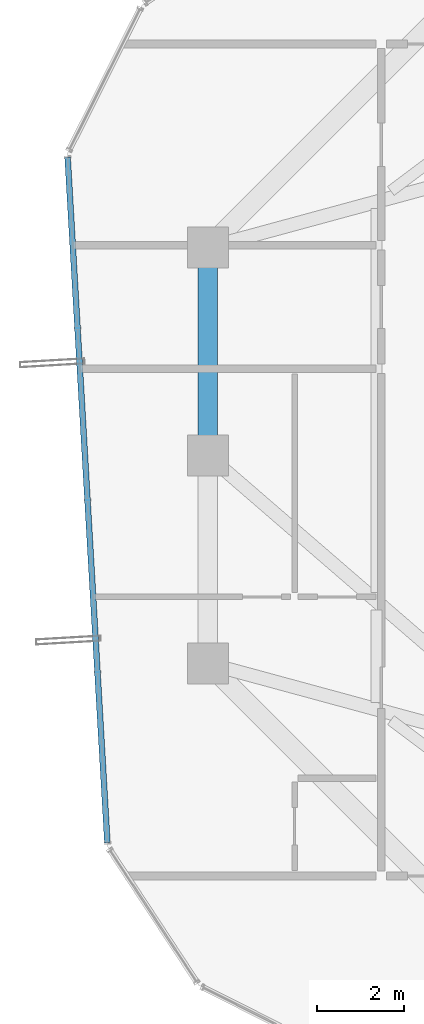
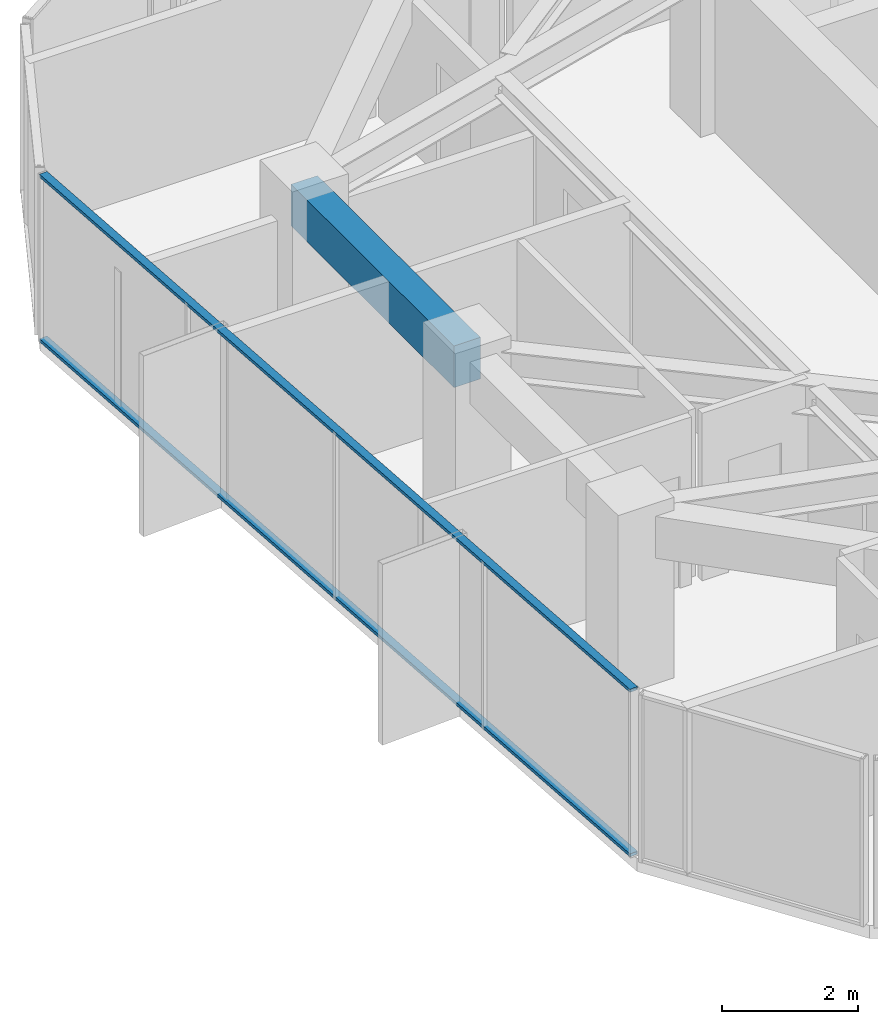
# One storey, part 13 of 33: 2 members, 1 beam, 1 element without a shape of its own.
"""IFC4 building model written with IfcOpenShell, lengths in metres."""

from ifc_helpers import new_model, si_unit, direction, frame, origin, origin_2d, place, context, subcontext, project, spatial, rectangle, hollow_rectangle, extrude, source, transform, mapped, material, layer, layer_set, material_profile, profile_set, type_object, element, aggregate, save


model = new_model("IFC4")

# Units and contexts
model_context = context("Model", 3, precision=1e-05, world=origin(), true_north=direction((0.0, 1.0)))
body_context = subcontext(model_context, "Body", "Model", "MODEL_VIEW")
ifc_project = project(units=[si_unit("LENGTHUNIT", "METRE"), si_unit("AREAUNIT", "SQUARE_METRE"), si_unit("VOLUMEUNIT", "CUBIC_METRE"), si_unit("PLANEANGLEUNIT", "RADIAN"), si_unit("MASSUNIT", "GRAM", prefix="KILO")], contexts=[model_context])

# Site, building, storey
site_placement = place(None, origin())
site = spatial("IfcSite", under=ifc_project, at=site_placement, CompositionType="ELEMENT")
building_placement = place(site_placement, origin())
building = spatial("IfcBuilding", under=site, at=building_placement, Name="Veraguas Prism Commons", CompositionType="ELEMENT")
storey_placement = place(building_placement, frame((0.0, 0.0, 195.10009765625)))
storey = spatial("IfcBuildingStorey", under=building, at=storey_placement, Name="L55", CompositionType="ELEMENT", Elevation=195.10009765625)

# Beam
ifc_material_1 = material(Name="Concrete C50/60", Category="concrete")
ifc_material_profile_1 = material_profile(ifc_material_1, rectangle(XDim=0.449951171875, YDim=0.75, at=origin_2d()), Name="RC450X750")
ifc_profile_set_1 = profile_set([ifc_material_profile_1], Name="Concrete C50/60")
beam_type = type_object("IfcBeamType", Name="Perimeter Spandrel Upper RC 450x750", PredefinedType="SPANDREL", material=ifc_profile_set_1)
beam_placement = place(storey_placement, frame((9.10009765625, 28.800048828125, 2.639892578125), z_axis=(0.0, -1.0, 0.0), x_axis=(1.0, 0.0, 0.0)))
element("IfcBeam", 1, at=beam_placement, inside=storey, type_object=beam_type, Name="Perimeter Spandrel Beam L55-SP07", PredefinedType="SPANDREL", context=body_context, shape_type="SweptSolid", body=[
    extrude(rectangle(XDim=0.449951171875, YDim=0.75, at=origin_2d()), origin(), (0.0, 0.0, 1.0), 4.800048828125),
])

# Curtain wall, members
ifc_material_2 = material(Name="Anodised aluminium EN AW-6063 T6", Category="aluminium")
ifc_layer = layer(ifc_material_2, 0.14990234375, Name="Unitised Flush Curtain Wall Zone 3", Category="aluminium")
ifc_layer_set = layer_set([ifc_layer], Name="Anodised aluminium EN AW-6063 T6")
curtain_wall_type = type_object("IfcCurtainWallType", Name="Unitised Flush Curtain Wall Zone 3", PredefinedType="NOTDEFINED", material=ifc_layer_set)
curtain_wall_placement = place(storey_placement, origin())
curtain_wall = element("IfcCurtainWall", 2, at=curtain_wall_placement, inside=storey, type_object=curtain_wall_type, Name="Tower Facade Curtain Wall L55-F3", PredefinedType="NOTDEFINED")
ifc_material_profile_2 = material_profile(ifc_material_2, hollow_rectangle(XDim=0.054931640625, YDim=0.135009765625, WallThickness=0.0029296875, at=origin_2d()), Name="AL55X135X3")
ifc_profile_set_2 = profile_set([ifc_material_profile_2], Name="Anodised aluminium EN AW-6063 T6")
member_type = type_object("IfcMemberType", Name="Curtain Wall Transom Standard AL 55x135x3", PredefinedType="USERDEFINED", material=ifc_profile_set_2)
shared_shape = source(origin(), body_context, "Body", "SweptSolid", [
    extrude(hollow_rectangle(XDim=0.054931640625, YDim=0.135009765625, WallThickness=0.0029296875, at=origin_2d()), origin(), (0.0, 0.0, 1.0), 15.842529296875),
])
member_1_placement = place(storey_placement, frame((5.86083984375, 30.88232421875, 0.02734375), z_axis=(0.057912580518, -0.998321658093, 0.0), x_axis=(0.0, 0.0, 1.0)))
member_1 = element("IfcMember", 3, at=member_1_placement, type_object=member_type, Name="CW-Z3 Transom 1", ObjectType="TRANSOM", PredefinedType="USERDEFINED", context=body_context, shape_type="MappedRepresentation", body=[
    mapped(shared_shape, transform((0.0, 0.0, 0.0), scale=1.0)),
])
member_2_placement = place(storey_placement, frame((5.86083984375, 30.88232421875, 2.9873046875), z_axis=(0.057912580518, -0.998321658093, 0.0), x_axis=(0.0, 0.0, 1.0)))
member_2 = element("IfcMember", 4, at=member_2_placement, type_object=member_type, Name="CW-Z3 Transom 2", ObjectType="TRANSOM", PredefinedType="USERDEFINED", context=body_context, shape_type="MappedRepresentation", body=[
    mapped(shared_shape, transform((0.0, 0.0, 0.0), scale=1.0)),
])
aggregate(curtain_wall, [member_1, member_2])

save(model, "model.ifc")
